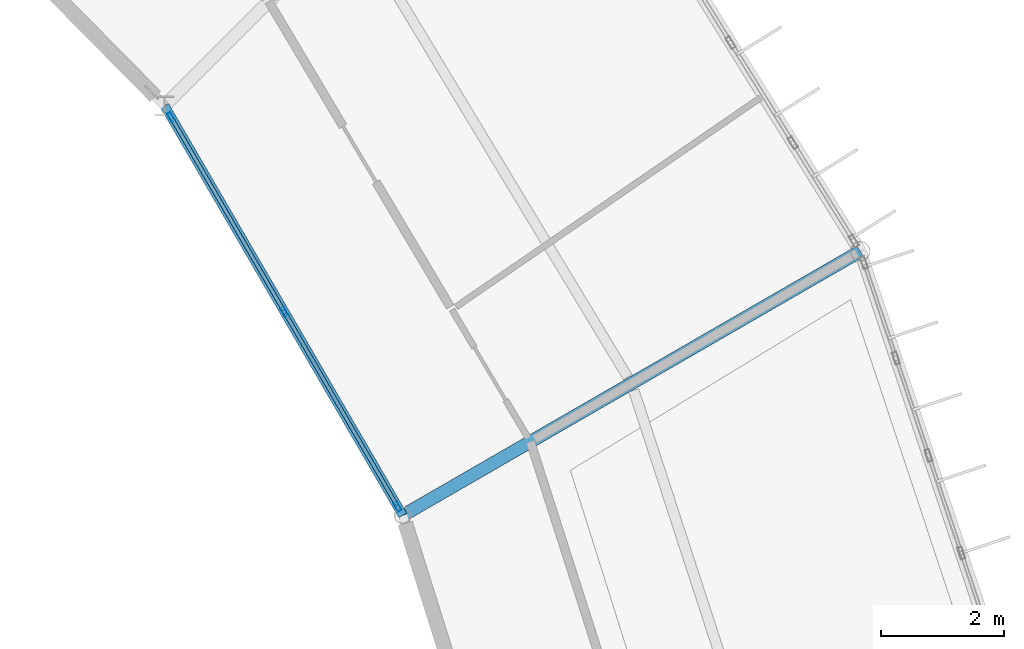
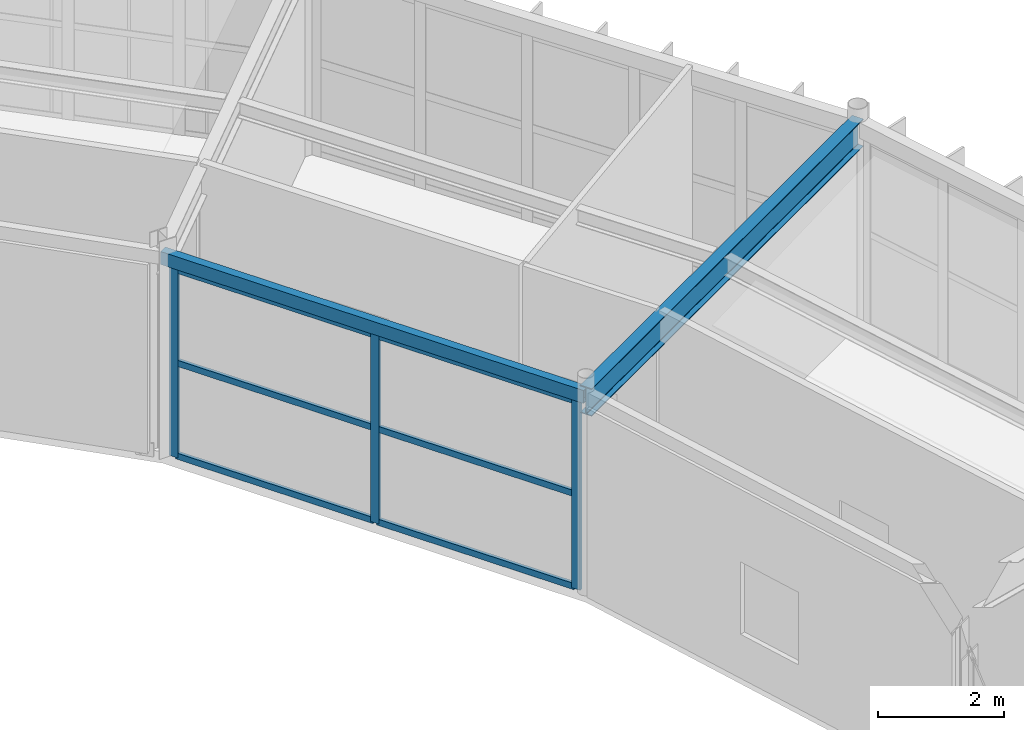
# One storey, part 82 of 147: 9 members, 2 beams, 1 element without a shape of its own.
"""IFC4 building model written with IfcOpenShell, lengths in metres."""

from ifc_helpers import new_model, si_unit, direction, frame, origin, origin_2d, place, context, subcontext, project, spatial, hollow_rectangle, i_section, extrude, material, material_profile, profile_set, type_object, element, aggregate, save


model = new_model("IFC4")

# Units and contexts
model_context = context("Model", 3, precision=1e-05, world=origin(), true_north=direction((0.0, 1.0)))
body_context = subcontext(model_context, "Body", "Model", "MODEL_VIEW")
ifc_project = project(units=[si_unit("LENGTHUNIT", "METRE"), si_unit("AREAUNIT", "SQUARE_METRE"), si_unit("VOLUMEUNIT", "CUBIC_METRE"), si_unit("PLANEANGLEUNIT", "RADIAN"), si_unit("MASSUNIT", "GRAM", prefix="KILO")], contexts=[model_context])

# Site, building, storey
site_placement = place(None, origin())
site = spatial("IfcSite", under=ifc_project, at=site_placement, CompositionType="ELEMENT")
building_placement = place(site_placement, origin())
building = spatial("IfcBuilding", under=site, at=building_placement, Name="Karori Crest Natural Sciences Institute", CompositionType="ELEMENT")
storey_placement = place(building_placement, frame((0.0, 0.0, 9.10009765625)))
storey = spatial("IfcBuildingStorey", under=building, at=storey_placement, Name="L02", CompositionType="ELEMENT", Elevation=9.10009765625)

# Beams
ifc_material_1 = material(Name="Structural steel AS/NZS 3679.1 Grade 350", Category="steel")
ifc_material_profile_1 = material_profile(ifc_material_1, i_section(OverallWidth=0.208984375, OverallDepth=0.532958984375, WebThickness=0.01025390625, FlangeThickness=0.015625, FilletRadius=0.013916015625, at=origin_2d()), Name="530UB92.4")
ifc_profile_set_1 = profile_set([ifc_material_profile_1], Name="Structural steel AS/NZS 3679.1 Grade 350")
beam_type_1 = type_object("IfcBeamType", Name="BT-05", PredefinedType="BEAM", material=ifc_profile_set_1)
beam_1_placement = place(storey_placement, frame((87.531005859375, 66.0, 3.67333984375), z_axis=(0.866021068297, 0.500007509209, 0.0), x_axis=(-0.500007509209, 0.866021068297, 0.0)))
element("IfcBeam", 1, at=beam_1_placement, inside=storey, type_object=beam_type_1, Name="Beam B-0279", PredefinedType="BEAM", context=body_context, shape_type="SweptSolid", body=[
    extrude(i_section(OverallWidth=0.208984375, OverallDepth=0.532958984375, WebThickness=0.01025390625, FlangeThickness=0.015625, FilletRadius=0.013916015625, at=origin_2d()), origin(), (0.0, 0.0, 1.0), 8.599853515625),
])
ifc_material_2 = material(Name="Hollow structural steel AS/NZS 1163 Grade C350", Category="steel")
ifc_material_profile_2 = material_profile(ifc_material_2, hollow_rectangle(XDim=0.14990234375, YDim=0.25, WallThickness=0.009033203125, at=origin_2d()), Name="RHS250x150x9")
ifc_profile_set_2 = profile_set([ifc_material_profile_2], Name="Hollow structural steel AS/NZS 1163 Grade C350")
beam_type_2 = type_object("IfcBeamType", Name="BT-16", PredefinedType="SPANDREL", material=ifc_profile_set_2)
beam_2_placement = place(storey_placement, frame((87.531005859375, 66.0, 3.789794921875), z_axis=(-0.502672163425, 0.864477122958, 0.0), x_axis=(-0.864477122958, -0.502672163425, 0.0)))
element("IfcBeam", 2, at=beam_2_placement, inside=storey, type_object=beam_type_2, Name="Beam B-0278", PredefinedType="SPANDREL", context=body_context, shape_type="SweptSolid", body=[
    extrude(hollow_rectangle(XDim=0.14990234375, YDim=0.25, WallThickness=0.009033203125, at=origin_2d()), origin(), (0.0, 0.0, 1.0), 7.714111328125),
])

# Curtain wall, members
ifc_material_3 = material(Name="Anodised architectural aluminium 6063-T6", Category="aluminium")
curtain_wall_type = type_object("IfcCurtainWallType", Name="CWT-13", PredefinedType="NOTDEFINED", material=ifc_material_3)
curtain_wall_placement = place(storey_placement, origin())
curtain_wall = element("IfcCurtainWall", 3, at=curtain_wall_placement, inside=storey, type_object=curtain_wall_type, Name="Curtain wall CW-0069", PredefinedType="NOTDEFINED")
ifc_material_profile_3 = material_profile(ifc_material_3, hollow_rectangle(XDim=0.06494140625, YDim=0.159912109375, WallThickness=0.00390625, at=origin_2d()), Name="CWM160x65x4")
ifc_profile_set_3 = profile_set([ifc_material_profile_3], Name="Anodised architectural aluminium 6063-T6")
member_type_1 = type_object("IfcMemberType", Name="CWM-01", PredefinedType="MULLION", material=ifc_profile_set_3)
member_1_placement = place(storey_placement, frame((87.447021484375, 66.144287109375, 0.0), z_axis=(0.0, 0.0, 1.0), x_axis=(-0.864484379326, -0.502659683982, 0.0)))
member_1 = element("IfcMember", 4, at=member_1_placement, type_object=member_type_1, Name="CW-0069 mullion 1", PredefinedType="MULLION", context=body_context, shape_type="SweptSolid", body=[
    extrude(hollow_rectangle(XDim=0.06494140625, YDim=0.159912109375, WallThickness=0.00390625, at=origin_2d()), origin(), (0.0, 0.0, 1.0), 3.64990234375),
])
member_2_placement = place(storey_placement, frame((85.603759765625, 69.314697265625, 0.0), z_axis=(0.0, 0.0, 1.0), x_axis=(-0.864484379326, -0.502659683982, 0.0)))
member_2 = element("IfcMember", 5, at=member_2_placement, type_object=member_type_1, Name="CW-0069 mullion 2", PredefinedType="MULLION", context=body_context, shape_type="SweptSolid", body=[
    extrude(hollow_rectangle(XDim=0.06494140625, YDim=0.159912109375, WallThickness=0.00390625, at=origin_2d()), origin(), (0.0, 0.0, 1.0), 3.64990234375),
])
member_3_placement = place(storey_placement, frame((83.76025390625, 72.48486328125, 0.0), z_axis=(0.0, 0.0, 1.0), x_axis=(-0.864484379326, -0.502659683982, 0.0)))
member_3 = element("IfcMember", 6, at=member_3_placement, type_object=member_type_1, Name="CW-0069 mullion 3", PredefinedType="MULLION", context=body_context, shape_type="SweptSolid", body=[
    extrude(hollow_rectangle(XDim=0.06494140625, YDim=0.159912109375, WallThickness=0.00390625, at=origin_2d()), origin(), (0.0, 0.0, 1.0), 3.64990234375),
])
ifc_material_profile_4 = material_profile(ifc_material_3, hollow_rectangle(XDim=0.06005859375, YDim=0.1201171875, WallThickness=0.00390625, at=origin_2d()), Name="CWT120x60x4")
ifc_profile_set_4 = profile_set([ifc_material_profile_4], Name="Anodised architectural aluminium 6063-T6")
member_type_2 = type_object("IfcMemberType", Name="CWT-TR1", PredefinedType="USERDEFINED", material=ifc_profile_set_4)
member_4_placement = place(storey_placement, frame((87.4306640625, 66.172607421875, 0.02978515625), z_axis=(-0.502635771548, 0.864498282914, 0.0), x_axis=(-0.864498282914, -0.502635771548, 0.0)))
member_4 = element("IfcMember", 7, at=member_4_placement, type_object=member_type_2, Name="CW-0069 transom 1.1", ObjectType="TRANSOM", PredefinedType="USERDEFINED", context=body_context, shape_type="SweptSolid", body=[
    extrude(hollow_rectangle(XDim=0.06005859375, YDim=0.1201171875, WallThickness=0.00390625, at=origin_2d()), origin(), (0.0, 0.0, 1.0), 3.60205078125),
])
member_5_placement = place(storey_placement, frame((87.4306640625, 66.172607421875, 1.824951171875), z_axis=(-0.502635771548, 0.864498282914, 0.0), x_axis=(-0.864498282914, -0.502635771548, 0.0)))
member_5 = element("IfcMember", 8, at=member_5_placement, type_object=member_type_2, Name="CW-0069 transom 1.2", ObjectType="TRANSOM", PredefinedType="USERDEFINED", context=body_context, shape_type="SweptSolid", body=[
    extrude(hollow_rectangle(XDim=0.06005859375, YDim=0.1201171875, WallThickness=0.00390625, at=origin_2d()), origin(), (0.0, 0.0, 1.0), 3.60205078125),
])
member_6_placement = place(storey_placement, frame((87.4306640625, 66.172607421875, 3.619873046875), z_axis=(-0.502635771548, 0.864498282914, 0.0), x_axis=(-0.864498282914, -0.502635771548, 0.0)))
member_6 = element("IfcMember", 9, at=member_6_placement, type_object=member_type_2, Name="CW-0069 transom 1.3", ObjectType="TRANSOM", PredefinedType="USERDEFINED", context=body_context, shape_type="SweptSolid", body=[
    extrude(hollow_rectangle(XDim=0.06005859375, YDim=0.1201171875, WallThickness=0.00390625, at=origin_2d()), origin(), (0.0, 0.0, 1.0), 3.60205078125),
])
member_7_placement = place(storey_placement, frame((85.58740234375, 69.3427734375, 0.02978515625), z_axis=(-0.502686422749, 0.864468831355, 0.0), x_axis=(-0.864468831355, -0.502686422749, 0.0)))
member_7 = element("IfcMember", 10, at=member_7_placement, type_object=member_type_2, Name="CW-0069 transom 2.1", ObjectType="TRANSOM", PredefinedType="USERDEFINED", context=body_context, shape_type="SweptSolid", body=[
    extrude(hollow_rectangle(XDim=0.06005859375, YDim=0.1201171875, WallThickness=0.00390625, at=origin_2d()), origin(), (0.0, 0.0, 1.0), 3.602294921875),
])
member_8_placement = place(storey_placement, frame((85.58740234375, 69.3427734375, 1.824951171875), z_axis=(-0.502686422749, 0.864468831355, 0.0), x_axis=(-0.864468831355, -0.502686422749, 0.0)))
member_8 = element("IfcMember", 11, at=member_8_placement, type_object=member_type_2, Name="CW-0069 transom 2.2", ObjectType="TRANSOM", PredefinedType="USERDEFINED", context=body_context, shape_type="SweptSolid", body=[
    extrude(hollow_rectangle(XDim=0.06005859375, YDim=0.1201171875, WallThickness=0.00390625, at=origin_2d()), origin(), (0.0, 0.0, 1.0), 3.602294921875),
])
member_9_placement = place(storey_placement, frame((85.58740234375, 69.3427734375, 3.619873046875), z_axis=(-0.502686422749, 0.864468831355, 0.0), x_axis=(-0.864468831355, -0.502686422749, 0.0)))
member_9 = element("IfcMember", 12, at=member_9_placement, type_object=member_type_2, Name="CW-0069 transom 2.3", ObjectType="TRANSOM", PredefinedType="USERDEFINED", context=body_context, shape_type="SweptSolid", body=[
    extrude(hollow_rectangle(XDim=0.06005859375, YDim=0.1201171875, WallThickness=0.00390625, at=origin_2d()), origin(), (0.0, 0.0, 1.0), 3.602294921875),
])
aggregate(curtain_wall, [member_1, member_2, member_3, member_4, member_5, member_6, member_7, member_8, member_9])

save(model, "model.ifc")
